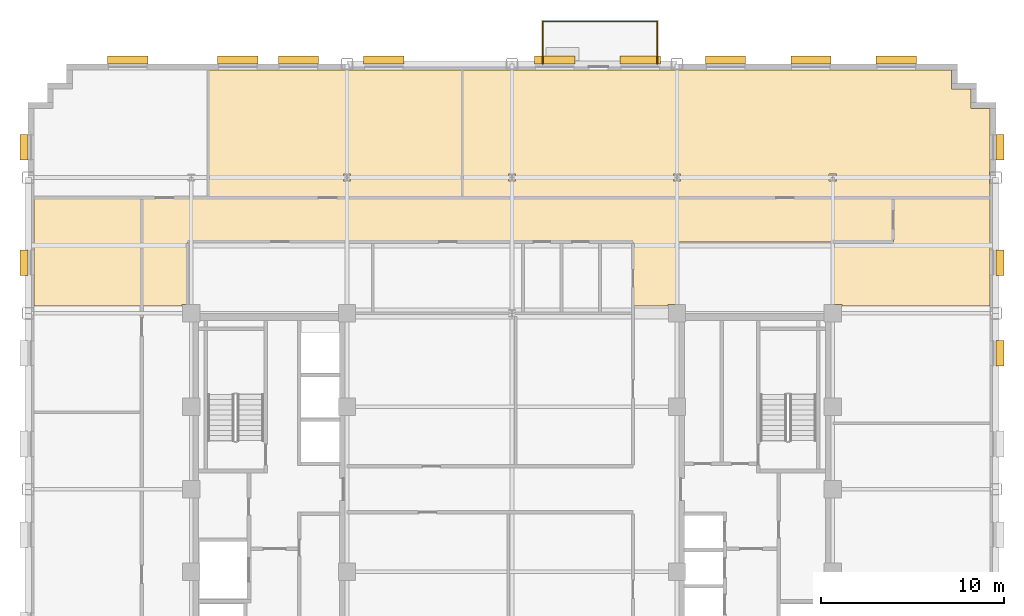
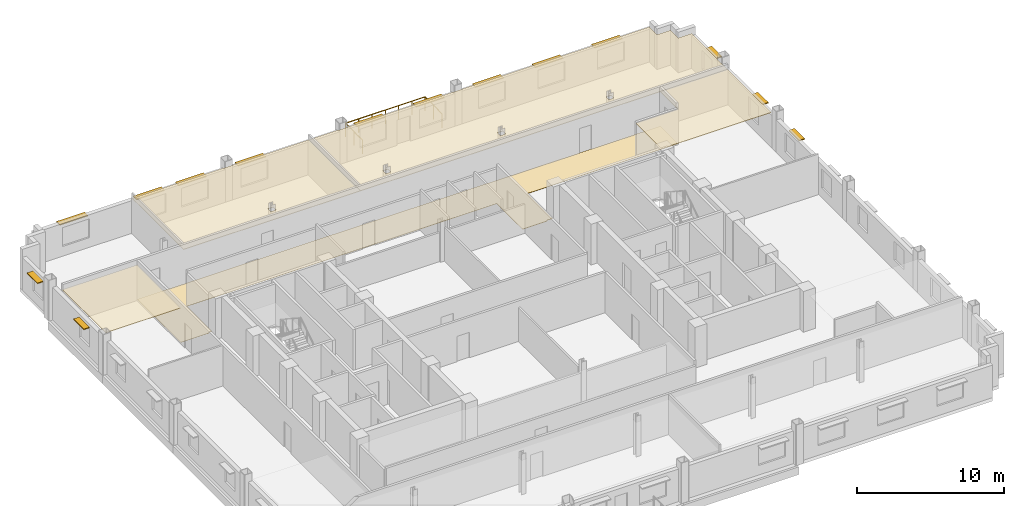
# One storey, part 14 of 14: 14 shading devices, 5 coverings, 1 railing.
"""IFC4 building model written with IfcOpenShell, lengths in metres."""

from ifc_helpers import new_model, si_unit, direction, frame, origin, origin_2d, place, context, subcontext, project, spatial, polyline, rectangle, circle, outline, extrude, source, transform, mapped, material, layer, layer_set, type_object, type_shapes, element, save


model = new_model("IFC4")

# Units and contexts
model_context = context("Model", 3, precision=1e-05, world=origin(), true_north=direction((0.0, 1.0)))
body_context = subcontext(model_context, "Body", "Model", "MODEL_VIEW")
ifc_project = project(units=[si_unit("LENGTHUNIT", "METRE"), si_unit("AREAUNIT", "SQUARE_METRE"), si_unit("VOLUMEUNIT", "CUBIC_METRE"), si_unit("PLANEANGLEUNIT", "RADIAN"), si_unit("MASSUNIT", "GRAM", prefix="KILO")], contexts=[model_context])

# Site, building, storey
site_placement = place(None, origin())
site = spatial("IfcSite", under=ifc_project, at=site_placement, CompositionType="ELEMENT")
building_placement = place(site_placement, origin())
building = spatial("IfcBuilding", under=site, at=building_placement, Name="Nuvemarco Arch Tower", CompositionType="ELEMENT")
storey_placement = place(building_placement, frame((0.0, 0.0, 142.10009765625)))
storey = spatial("IfcBuildingStorey", under=building, at=storey_placement, Name="L37", CompositionType="ELEMENT", Elevation=142.10009765625)

# Coverings
ifc_material_1 = material(Name="Mineral acoustic ceiling tile")
ifc_layer_1 = layer(ifc_material_1, 0.0400390625, Name="COV-ACOUSTIC-CLG")
ifc_layer_set_1 = layer_set([ifc_layer_1], Name="Mineral acoustic ceiling tile")
covering_type_1 = type_object("IfcCoveringType", Name="COV-ACOUSTIC-CLG", PredefinedType="CEILING", material=ifc_layer_set_1)
covering_1_placement = place(storey_placement, frame((0.0, 0.0, 2.849853515625)))
element("IfcCovering", 1, at=covering_1_placement, inside=storey, type_object=covering_type_1, Name="L37 suspended acoustic ceiling 2", PredefinedType="CEILING", context=body_context, shape_type="SweptSolid", body=[
    extrude(outline(polyline([(26.080078125, 20.780029296875), (26.080078125, 17.340087890625), (26.06005859375, 17.340087890625), (26.06005859375, 16.659912109375), (26.080078125, 16.659912109375), (26.080078125, 15.89990234375), (20.800048828125, 15.89990234375), (9.0, 15.89990234375), (6.60009765625, 15.89990234375), (-2.7099609375, 15.89990234375), (-2.7099609375, 22.8798828125), (-0.340087890625, 22.8798828125), (-0.340087890625, 22.860107421875), (0.340087890625, 22.860107421875), (0.340087890625, 22.8798828125), (8.659912109375, 22.8798828125), (8.659912109375, 22.860107421875), (9.340087890625, 22.860107421875), (9.340087890625, 22.8798828125), (23.97998046875, 22.8798828125), (23.97998046875, 21.830078125), (25.030029296875, 21.830078125), (25.030029296875, 20.780029296875), (26.080078125, 20.780029296875)]), holes=[polyline([(0.195068359375, 16.804931640625), (0.195068359375, 17.195068359375), (-0.195068359375, 17.195068359375), (-0.195068359375, 16.804931640625), (0.195068359375, 16.804931640625)]), polyline([(9.195068359375, 17.195068359375), (8.804931640625, 17.195068359375), (8.804931640625, 16.804931640625), (9.195068359375, 16.804931640625), (9.195068359375, 17.195068359375)]), polyline([(17.695068359375, 16.804931640625), (17.695068359375, 17.195068359375), (17.304931640625, 17.195068359375), (17.304931640625, 16.804931640625), (17.695068359375, 16.804931640625)])]), origin(), (0.0, 0.0, 1.0), 0.0400390625),
])
covering_2_placement = place(storey_placement, frame((0.0, 0.0, 2.849853515625)))
element("IfcCovering", 2, at=covering_2_placement, inside=storey, type_object=covering_type_1, Name="L37 suspended acoustic ceiling 6", PredefinedType="CEILING", context=body_context, shape_type="SweptSolid", body=[
    extrude(outline(polyline([(17.989990234375, 10.090087890625), (17.5, 10.090087890625), (17.5, 13.5), (20.800048828125, 13.5), (20.800048828125, 15.89990234375), (26.080078125, 15.89990234375), (26.080078125, 10.0), (17.989990234375, 10.0), (17.989990234375, 10.090087890625)])), origin(), (0.0, 0.0, 1.0), 0.0400390625),
])
covering_3_placement = place(storey_placement, frame((0.0, 0.0, 2.849853515625)))
element("IfcCovering", 3, at=covering_3_placement, inside=storey, type_object=covering_type_1, Name="L37 suspended acoustic ceiling 7", PredefinedType="CEILING", context=body_context, shape_type="SweptSolid", body=[
    extrude(outline(polyline([(-2.7099609375, 15.89990234375), (-16.570068359375, 15.89990234375), (-16.570068359375, 22.8798828125), (-9.340087890625, 22.8798828125), (-9.340087890625, 22.860107421875), (-8.659912109375, 22.860107421875), (-8.659912109375, 22.8798828125), (-2.7099609375, 22.8798828125), (-2.7099609375, 15.89990234375)]), holes=[polyline([(-8.804931640625, 16.804931640625), (-8.804931640625, 17.195068359375), (-9.195068359375, 17.195068359375), (-9.195068359375, 16.804931640625), (-8.804931640625, 16.804931640625)])]), origin(), (0.0, 0.0, 1.0), 0.0400390625),
])
covering_4_placement = place(storey_placement, frame((0.0, 0.0, 2.849853515625)))
element("IfcCovering", 4, at=covering_4_placement, inside=storey, type_object=covering_type_1, Name="L37 suspended acoustic ceiling 9", PredefinedType="CEILING", context=body_context, shape_type="SweptSolid", body=[
    extrude(outline(polyline([(-20.199951171875, 15.89990234375), (-20.199951171875, 13.5), (-20.199951171875, 10.0), (-26.080078125, 10.0), (-26.080078125, 15.89990234375), (-20.199951171875, 15.89990234375)])), origin(), (0.0, 0.0, 1.0), 0.0400390625),
])
ifc_material_2 = material(Name="Polished granite terrazzostone flooring", Category="masonry")
ifc_layer_2 = layer(ifc_material_2, 0.02001953125, Name="COV-LOBBY-FLR")
ifc_layer_set_2 = layer_set([ifc_layer_2], Name="Polished granite terrazzostone flooring")
covering_type_2 = type_object("IfcCoveringType", Name="COV-LOBBY-FLR", PredefinedType="FLOORING", material=ifc_layer_set_2)
covering_5_placement = place(storey_placement, origin())
element("IfcCovering", 5, at=covering_5_placement, inside=storey, type_object=covering_type_2, Name="L37 polished terrazzo lobby flooring", PredefinedType="FLOORING", context=body_context, shape_type="SweptSolid", body=[
    extrude(outline(polyline([(-20.199951171875, 13.5), (-20.199951171875, 15.89990234375), (-17.699951171875, 15.89990234375), (6.60009765625, 15.89990234375), (9.0, 15.89990234375), (20.800048828125, 15.89990234375), (20.800048828125, 13.5), (9.0, 13.5), (9.0, 10.090087890625), (8.510009765625, 10.090087890625), (8.510009765625, 10.0), (6.60009765625, 10.0), (6.60009765625, 13.5), (-17.699951171875, 13.5), (-17.699951171875, 10.090087890625), (-17.989990234375, 10.090087890625), (-17.989990234375, 10.0), (-20.199951171875, 10.0), (-20.199951171875, 13.5)])), origin(), (0.0, 0.0, 1.0), 0.02001953125),
])

# Railing
ifc_material_3 = material(Name="Dark anodised balustrade steel S355", Category="steel")
railing_type = type_object("IfcRailingType", Name="RL-TERR-GUARD", PredefinedType="BALUSTRADE", material=ifc_material_3)
railing_placement = place(storey_placement, frame((1.679931640625, 23.199951171875, 0.0)))
element("IfcRailing", 6, at=railing_placement, inside=storey, type_object=railing_type, Name="L37 spiral terrace perimeter balustrade guard", PredefinedType="BALUSTRADE", context=body_context, shape_type="SweptSolid", body=[
    extrude(circle(Radius=0.02392578125, at=origin_2d()), frame((0.0, 0.0, 1.1259765625), z_axis=(0.0, 1.0, 0.0), x_axis=(-1.0, 0.0, 0.0)), (0.0, 0.0, 1.0), 2.320068359375),
    extrude(circle(Radius=0.02392578125, at=origin_2d()), frame((0.0, 2.320068359375, 1.1259765625), z_axis=(1.0, 0.0, 0.0), x_axis=(0.0, 1.0, 0.0)), (0.0, 0.0, 1.0), 6.239990234375),
    extrude(circle(Radius=0.02392578125, at=origin_2d()), frame((6.239990234375, 2.320068359375, 1.1259765625), z_axis=(0.0, -1.0, 0.0), x_axis=(1.0, 0.0, 0.0)), (0.0, 0.0, 1.0), 2.320068359375),
    extrude(circle(Radius=0.02099609375, at=origin_2d()), origin(), (0.0, 0.0, 1.0), 1.101806640625),
    extrude(circle(Radius=0.02099609375, at=origin_2d()), frame((0.0, 1.16015625, 0.0)), (0.0, 0.0, 1.0), 1.101806640625),
    extrude(circle(Radius=0.02099609375, at=origin_2d()), frame((0.0, 2.320068359375, 0.0)), (0.0, 0.0, 1.0), 1.101806640625),
    extrude(circle(Radius=0.02099609375, at=origin_2d()), frame((1.0400390625, 2.320068359375, 0.0)), (0.0, 0.0, 1.0), 1.101806640625),
    extrude(circle(Radius=0.02099609375, at=origin_2d()), frame((2.080078125, 2.320068359375, 0.0)), (0.0, 0.0, 1.0), 1.101806640625),
    extrude(circle(Radius=0.02099609375, at=origin_2d()), frame((3.1201171875, 2.320068359375, 0.0)), (0.0, 0.0, 1.0), 1.101806640625),
    extrude(circle(Radius=0.02099609375, at=origin_2d()), frame((4.159912109375, 2.320068359375, 0.0)), (0.0, 0.0, 1.0), 1.101806640625),
    extrude(circle(Radius=0.02099609375, at=origin_2d()), frame((5.199951171875, 2.320068359375, 0.0)), (0.0, 0.0, 1.0), 1.101806640625),
    extrude(circle(Radius=0.02099609375, at=origin_2d()), frame((6.239990234375, 2.320068359375, 0.0)), (0.0, 0.0, 1.0), 1.101806640625),
    extrude(circle(Radius=0.02099609375, at=origin_2d()), frame((6.239990234375, 1.16015625, 0.0)), (0.0, 0.0, 1.0), 1.101806640625),
    extrude(circle(Radius=0.02099609375, at=origin_2d()), frame((6.239990234375, 0.0, 0.0)), (0.0, 0.0, 1.0), 1.101806640625),
])

# Shading devices
ifc_material_4 = material(Name="Anodised aluminium 6063-T6", Category="aluminium")
shading_device_type_1 = type_object("IfcShadingDeviceType", Name="SHD-BRISE-SOLEIL", PredefinedType="USERDEFINED", material=ifc_material_4)
shared_shape_1 = source(origin(), body_context, "Body", "SweptSolid", [
    extrude(rectangle(XDim=2.199951171875, YDim=0.449951171875, at=origin_2d()), origin(), (0.0, 0.0, 1.0), 0.080078125),
])
type_shapes(shading_device_type_1, [shared_shape_1])
for number, where, z_axis, x_axis, name in (
    (7, (-20.969970703125, 23.4150390625, 2.36474609375), (0.0, 0.0, 1.0), (1.0, 0.0, 0.0), "L37 horizontal brise-soleil sunshade"),
    (8, (-14.9599609375, 23.4150390625, 2.36474609375), (0.0, 0.0, 1.0), (1.0, 0.0, 0.0), "L37 horizontal brise-soleil sunshade"),
    (9, (-11.64990234375, 23.4150390625, 2.36474609375), (0.0, 0.0, 1.0), (1.0, 0.0, 0.0), "L37 horizontal brise-soleil sunshade"),
    (10, (-6.989990234375, 23.4150390625, 2.36474609375), (0.0, 0.0, 1.0), (1.0, 0.0, 0.0), "L37 horizontal brise-soleil sunshade"),
    (11, (2.330078125, 23.4150390625, 2.36474609375), (0.0, 0.0, 1.0), (1.0, 0.0, 0.0), "L37 horizontal brise-soleil sunshade"),
    (12, (6.989990234375, 23.4150390625, 2.36474609375), (0.0, 0.0, 1.0), (1.0, 0.0, 0.0), "L37 horizontal brise-soleil sunshade"),
    (13, (11.64990234375, 23.4150390625, 2.36474609375), (0.0, 0.0, 1.0), (1.0, 0.0, 0.0), "L37 horizontal brise-soleil sunshade"),
    (14, (16.31005859375, 23.4150390625, 2.36474609375), (0.0, 0.0, 1.0), (1.0, 0.0, 0.0), "L37 horizontal brise-soleil sunshade"),
    (15, (20.969970703125, 23.4150390625, 2.36474609375), (0.0, 0.0, 1.0), (1.0, 0.0, 0.0), "L37 horizontal brise-soleil sunshade"),
):
    element("IfcShadingDevice", number, at=place(storey_placement, frame(where, z_axis=z_axis, x_axis=x_axis)), inside=storey, type_object=shading_device_type_1, Name=name, ObjectType="SUNSHADE", PredefinedType="USERDEFINED", context=body_context, shape_type="MappedRepresentation", body=[
        mapped(shared_shape_1, transform((0.0, 0.0, 0.0), scale=1.0)),
    ])
shading_device_type_2 = type_object("IfcShadingDeviceType", Name="SHD-BRISE-NARROW", PredefinedType="USERDEFINED", material=ifc_material_4)
shared_shape_2 = source(origin(), body_context, "Body", "SweptSolid", [
    extrude(rectangle(XDim=1.39990234375, YDim=0.449951171875, at=origin_2d()), origin(), (0.0, 0.0, 1.0), 0.080078125),
])
type_shapes(shading_device_type_2, [shared_shape_2])
for number, where, z_axis, x_axis, name in (
    (16, (26.614990234375, 7.4189453125, 2.36474609375), (0.0, 0.0, 1.0), (0.0, 1.0, 0.0), "L37 horizontal brise-soleil sunshade"),
    (17, (26.614990234375, 12.364990234375, 2.36474609375), (0.0, 0.0, 1.0), (0.0, 1.0, 0.0), "L37 horizontal brise-soleil sunshade"),
    (18, (26.614990234375, 18.660888671875, 2.36474609375), (0.0, 0.0, 1.0), (0.0, 1.0, 0.0), "L37 horizontal brise-soleil sunshade"),
    (19, (-26.614990234375, 12.364990234375, 2.36474609375), (0.0, 0.0, 1.0), (0.0, 1.0, 0.0), "L37 horizontal brise-soleil sunshade"),
    (20, (-26.614990234375, 18.660888671875, 2.36474609375), (0.0, 0.0, 1.0), (0.0, 1.0, 0.0), "L37 horizontal brise-soleil sunshade"),
):
    element("IfcShadingDevice", number, at=place(storey_placement, frame(where, z_axis=z_axis, x_axis=x_axis)), inside=storey, type_object=shading_device_type_2, Name=name, ObjectType="SUNSHADE", PredefinedType="USERDEFINED", context=body_context, shape_type="MappedRepresentation", body=[
        mapped(shared_shape_2, transform((0.0, 0.0, 0.0), scale=1.0)),
    ])

save(model, "model.ifc")
